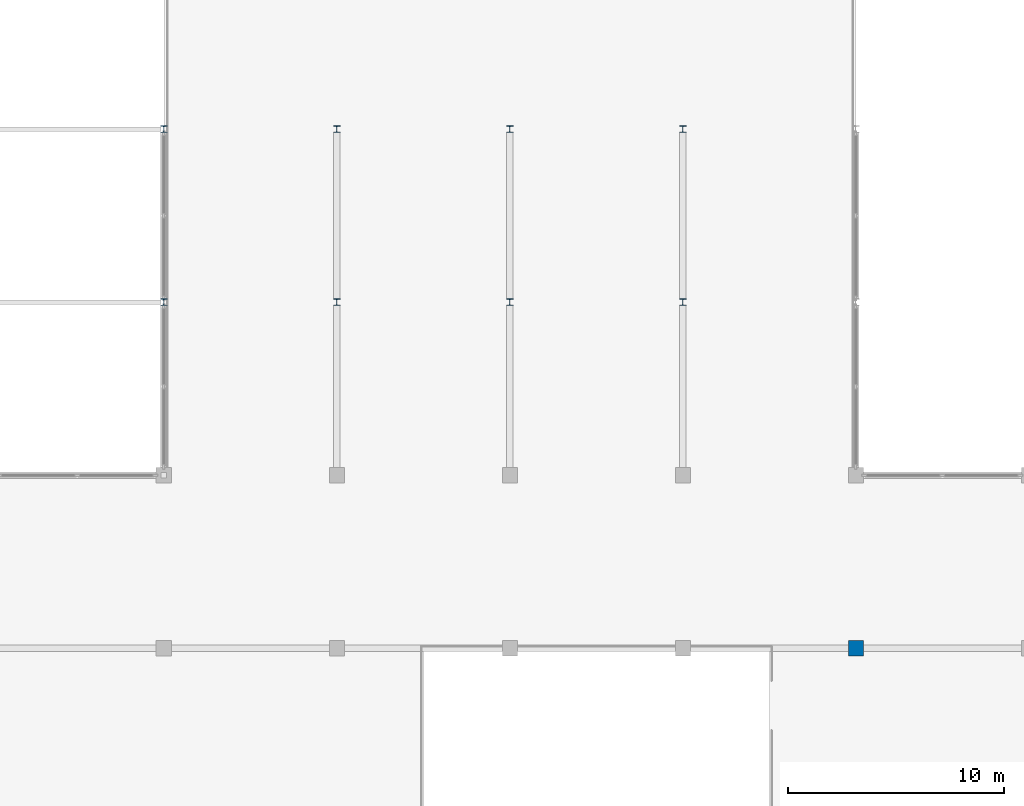
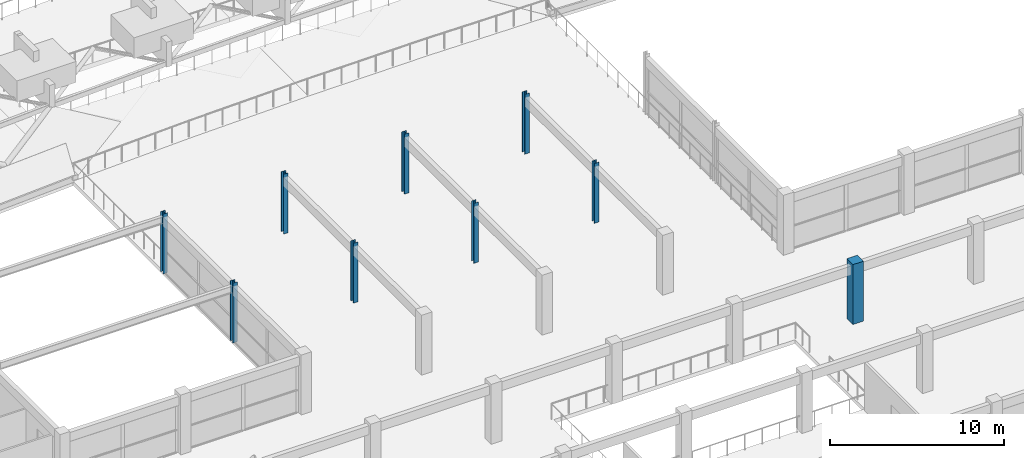
# One storey, part 2 of 67: 9 columns.
"""IFC4 building model written with IfcOpenShell, lengths in metres."""

from ifc_helpers import new_model, si_unit, direction, frame, origin, origin_2d, place, context, subcontext, project, spatial, rectangle, i_section, extrude, material, material_profile, profile_set, type_object, element, save


model = new_model("IFC4")

# Units and contexts
model_context = context("Model", 3, precision=1e-05, world=origin(), true_north=direction((0.0, 1.0)))
body_context = subcontext(model_context, "Body", "Model", "MODEL_VIEW")
ifc_project = project(units=[si_unit("LENGTHUNIT", "METRE"), si_unit("AREAUNIT", "SQUARE_METRE"), si_unit("VOLUMEUNIT", "CUBIC_METRE"), si_unit("PLANEANGLEUNIT", "RADIAN"), si_unit("MASSUNIT", "GRAM", prefix="KILO")], contexts=[model_context])

# Site, building, storey
site_placement = place(None, origin())
site = spatial("IfcSite", under=ifc_project, at=site_placement, CompositionType="ELEMENT")
building_placement = place(site_placement, origin())
building = spatial("IfcBuilding", under=site, at=building_placement, Name="Kenh Van Central Station", CompositionType="ELEMENT")
storey_placement = place(building_placement, frame((0.0, 0.0, 10.800048828125)))
storey = spatial("IfcBuildingStorey", under=building, at=storey_placement, Name="L02", CompositionType="ELEMENT", Elevation=10.800048828125)

# Columns
ifc_material_1 = material(Name="Concrete C40/50", Category="concrete")
ifc_material_profile_1 = material_profile(ifc_material_1, rectangle(XDim=0.699951171875, YDim=0.699951171875, at=origin_2d()), Name="RC 700x700")
ifc_profile_set_1 = profile_set([ifc_material_profile_1], Name="Concrete C40/50")
column_type_1 = type_object("IfcColumnType", Name="COL-RC-700x700", PredefinedType="COLUMN", material=ifc_profile_set_1)
column_placement = place(storey_placement, frame((96.0, 32.0, 0.0), z_axis=(0.0, 0.0, 1.0), x_axis=(1.0, 0.0, 0.0)))
element("IfcColumn", 1, at=column_placement, inside=storey, type_object=column_type_1, Name="L02 column CC-096-032", PredefinedType="COLUMN", context=body_context, shape_type="SweptSolid", body=[
    extrude(rectangle(XDim=0.699951171875, YDim=0.699951171875, at=origin_2d()), origin(), (0.0, 0.0, 1.0), 4.199951171875),
])
ifc_material_2 = material(Name="Steel S355", Category="steel")
ifc_material_profile_2 = material_profile(ifc_material_2, i_section(OverallWidth=0.300048828125, OverallDepth=0.300048828125, WebThickness=0.010986328125, FlangeThickness=0.01904296875, FilletRadius=0.027099609375, at=origin_2d()), Name="HEB 300")
ifc_profile_set_2 = profile_set([ifc_material_profile_2], Name="Steel S355")
column_type_2 = type_object("IfcColumnType", Name="COL-STL-HEB300", PredefinedType="COLUMN", material=ifc_profile_set_2)
for number, where, z_axis, x_axis, name in (
    (2, (64.0, 48.0, 0.0), (0.0, 0.0, 1.0), (1.0, 0.0, 0.0), "L02 column CB-064-048"),
    (3, (64.0, 56.0, 0.0), (0.0, 0.0, 1.0), (1.0, 0.0, 0.0), "L02 column CB-064-056"),
    (4, (72.0, 48.0, 0.0), (0.0, 0.0, 1.0), (1.0, 0.0, 0.0), "L02 column CB-072-048"),
    (5, (72.0, 56.0, 0.0), (0.0, 0.0, 1.0), (1.0, 0.0, 0.0), "L02 column CB-072-056"),
    (6, (80.0, 48.0, 0.0), (0.0, 0.0, 1.0), (1.0, 0.0, 0.0), "L02 column CB-080-048"),
    (7, (80.0, 56.0, 0.0), (0.0, 0.0, 1.0), (1.0, 0.0, 0.0), "L02 column CB-080-056"),
    (8, (88.0, 48.0, 0.0), (0.0, 0.0, 1.0), (1.0, 0.0, 0.0), "L02 column CB-088-048"),
    (9, (88.0, 56.0, 0.0), (0.0, 0.0, 1.0), (1.0, 0.0, 0.0), "L02 column CB-088-056"),
):
    element("IfcColumn", number, at=place(storey_placement, frame(where, z_axis=z_axis, x_axis=x_axis)), inside=storey, type_object=column_type_2, Name=name, PredefinedType="COLUMN", context=body_context, shape_type="SweptSolid", body=[
        extrude(i_section(OverallWidth=0.300048828125, OverallDepth=0.300048828125, WebThickness=0.010986328125, FlangeThickness=0.01904296875, FilletRadius=0.027099609375, at=origin_2d()), origin(), (0.0, 0.0, 1.0), 4.199951171875),
    ])

save(model, "model.ifc")
